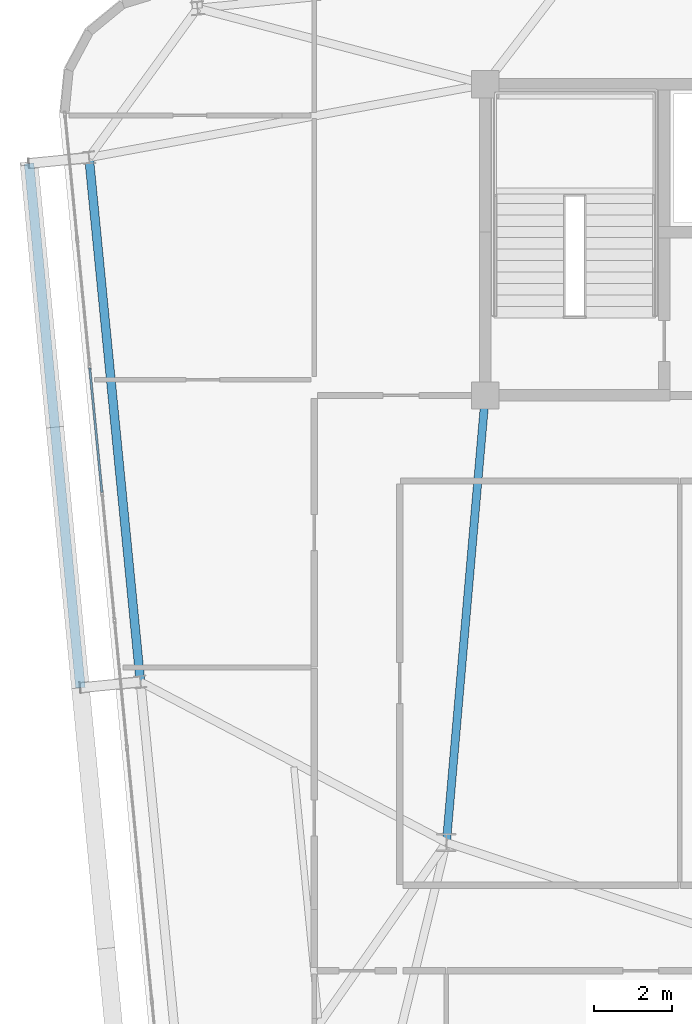
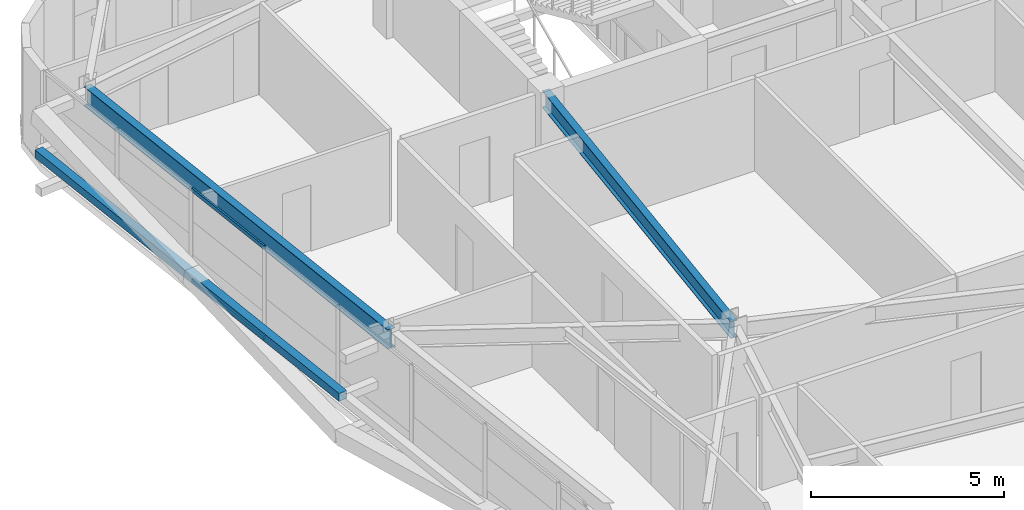
# One storey, part 14 of 52: 3 members, 2 beams, 1 element without a shape of its own.
"""IFC4 building model written with IfcOpenShell, lengths in metres."""

from ifc_helpers import new_model, si_unit, direction, frame, origin, origin_2d, place, context, subcontext, project, spatial, hollow_rectangle, i_section, extrude, source, transform, mapped, material, layer, layer_set, material_profile, profile_set, type_object, element, aggregate, save


model = new_model("IFC4")

# Units and contexts
model_context = context("Model", 3, precision=1e-05, world=origin(), true_north=direction((0.0, 1.0)))
body_context = subcontext(model_context, "Body", "Model", "MODEL_VIEW")
ifc_project = project(units=[si_unit("LENGTHUNIT", "METRE"), si_unit("AREAUNIT", "SQUARE_METRE"), si_unit("VOLUMEUNIT", "CUBIC_METRE"), si_unit("PLANEANGLEUNIT", "RADIAN"), si_unit("MASSUNIT", "GRAM", prefix="KILO")], contexts=[model_context])

# Site, building, storey
site_placement = place(None, origin())
site = spatial("IfcSite", under=ifc_project, at=site_placement, CompositionType="ELEMENT")
building_placement = place(site_placement, origin())
building = spatial("IfcBuilding", under=site, at=building_placement, Name="Taldren Reach Tower", CompositionType="ELEMENT")
storey_placement = place(building_placement, frame((0.0, 0.0, 96.60009765625)))
storey = spatial("IfcBuildingStorey", under=building, at=storey_placement, Name="L29", CompositionType="ELEMENT", Elevation=96.60009765625)

# Beams
ifc_material_1 = material(Name="Steel Gr 350 (350PLUS)", Category="steel")
ifc_material_profile_1 = material_profile(ifc_material_1, i_section(OverallWidth=0.208984375, OverallDepth=0.532958984375, WebThickness=0.01025390625, FlangeThickness=0.015625, at=origin_2d()), Name="530UB92.4")
ifc_profile_set_1 = profile_set([ifc_material_profile_1], Name="Steel Gr 350 (350PLUS)")
beam_type_1 = type_object("IfcBeamType", Name="BM-UB530A", PredefinedType="BEAM", material=ifc_profile_set_1)
shared_shape_1 = source(origin(), body_context, "Body", "SweptSolid", [
    extrude(i_section(OverallWidth=0.208984375, OverallDepth=0.532958984375, WebThickness=0.01025390625, FlangeThickness=0.015625, at=origin_2d()), origin(), (0.0, 0.0, 1.0), 11.54345703125),
])
beam_1_placement = place(storey_placement, frame((19.0, 24.0, 2.663330078125), z_axis=(-0.086629616365, -0.996240588196, 0.0), x_axis=(0.996240588196, -0.086629616365, 0.0)))
element("IfcBeam", 1, at=beam_1_placement, inside=storey, type_object=beam_type_1, Name="Core-spine girder L29-SP09", PredefinedType="BEAM", context=body_context, shape_type="MappedRepresentation", body=[
    mapped(shared_shape_1, transform((0.0, 0.0, 0.0), scale=1.0)),
])
ifc_material_profile_2 = material_profile(ifc_material_1, i_section(OverallWidth=0.22802734375, OverallDepth=0.60205078125, WebThickness=0.010498046875, FlangeThickness=0.014892578125, at=origin_2d()), Name="610UB101")
ifc_profile_set_2 = profile_set([ifc_material_profile_2], Name="Steel Gr 350 (350PLUS)")
beam_type_2 = type_object("IfcBeamType", Name="BM-UB610B", PredefinedType="BEAM", material=ifc_profile_set_2)
shared_shape_2 = source(origin(), body_context, "Body", "SweptSolid", [
    extrude(i_section(OverallWidth=0.22802734375, OverallDepth=0.60205078125, WebThickness=0.010498046875, FlangeThickness=0.014892578125, at=origin_2d()), origin(), (0.0, 0.0, 1.0), 13.550048828125),
])
beam_2_placement = place(storey_placement, frame((8.808349609375, 30.116455078125, 2.62890625), z_axis=(0.097584021339, -0.995227290009, 0.0), x_axis=(0.995227290009, 0.097584021339, 0.0)))
element("IfcBeam", 2, at=beam_2_placement, inside=storey, type_object=beam_type_2, Name="Perimeter gable girder B2 W3-W2 L29", PredefinedType="BEAM", context=body_context, shape_type="MappedRepresentation", body=[
    mapped(shared_shape_2, transform((0.0, 0.0, 0.0), scale=1.0)),
])

# Member
ifc_material_2 = material(Name="Steel Gr 350 (C350L0)", Category="steel")
ifc_material_profile_3 = material_profile(ifc_material_2, hollow_rectangle(XDim=0.25, YDim=0.25, WallThickness=0.010009765625, at=origin_2d()), Name="250x250x10.0SHS")
ifc_profile_set_3 = profile_set([ifc_material_profile_3], Name="Steel Gr 350 (C350L0)")
member_type_1 = type_object("IfcMemberType", Name="MB-POST250", PredefinedType="POST", material=ifc_profile_set_3)
shared_shape_3 = source(origin(), body_context, "Body", "SweptSolid", [
    extrude(hollow_rectangle(XDim=0.25, YDim=0.25, WallThickness=0.010009765625, at=origin_2d()), origin(), (0.0, 0.0, 1.0), 13.550048828125),
])
member_1_placement = place(storey_placement, frame((8.587890625, 16.479736328125, 1.434814453125), z_axis=(-0.097584021339, 0.995227290009, 0.0), x_axis=(-0.995227290009, -0.097584021339, 0.0)))
element("IfcMember", 3, at=member_1_placement, inside=storey, type_object=member_type_1, Name="Exoskeleton mid-height ring chord B2-W2 L29", PredefinedType="POST", context=body_context, shape_type="MappedRepresentation", body=[
    mapped(shared_shape_3, transform((0.0, 0.0, 0.0), scale=1.0)),
])

# Curtain wall, members
ifc_material_3 = material(Name="Aluminium and Low-E Glass Unitised System", Category="aluminium")
ifc_layer = layer(ifc_material_3, 0.159912109375)
ifc_layer_set = layer_set([ifc_layer], Name="Aluminium and Low-E Glass Unitised System")
curtain_wall_type = type_object("IfcCurtainWallType", Name="CW-SYS-3", PredefinedType="NOTDEFINED", material=ifc_layer_set)
curtain_wall_placement = place(storey_placement, origin())
curtain_wall = element("IfcCurtainWall", 4, at=curtain_wall_placement, inside=storey, type_object=curtain_wall_type, Name="Unitised curtain wall CW-L29-W", PredefinedType="NOTDEFINED")
ifc_material_4 = material(Name="Anodised Aluminium 6063-T6", Category="aluminium")
ifc_material_profile_4 = material_profile(ifc_material_4, hollow_rectangle(XDim=0.054931640625, YDim=0.1201171875, WallThickness=0.0029296875, at=origin_2d()), Name="ALU-120x55x3RHS")
ifc_profile_set_4 = profile_set([ifc_material_profile_4], Name="Anodised Aluminium 6063-T6")
member_type_2 = type_object("IfcMemberType", Name="CW-TRN-135", PredefinedType="USERDEFINED", material=ifc_profile_set_4)
shared_shape_4 = source(origin(), body_context, "Body", "SweptSolid", [
    extrude(hollow_rectangle(XDim=0.054931640625, YDim=0.1201171875, WallThickness=0.0029296875, at=origin_2d()), origin(), (0.0, 0.0, 1.0), 3.212890625),
])
member_2_placement = place(storey_placement, frame((8.826416015625, 24.704345703125, 0.02734375), z_axis=(0.097569948235, -0.995228669805, 0.0), x_axis=(0.995228669805, 0.097569948235, 0.0)))
member_2 = element("IfcMember", 5, at=member_2_placement, type_object=member_type_2, Name="CW-3 transom 3.1", ObjectType="TRANSOM", PredefinedType="USERDEFINED", context=body_context, shape_type="MappedRepresentation", body=[
    mapped(shared_shape_4, transform((0.0, 0.0, 0.0), scale=1.0)),
])
member_3_placement = place(storey_placement, frame((8.826416015625, 24.704345703125, 2.90234375), z_axis=(0.097569948235, -0.995228669805, 0.0), x_axis=(0.995228669805, 0.097569948235, 0.0)))
member_3 = element("IfcMember", 6, at=member_3_placement, type_object=member_type_2, Name="CW-3 transom 3.2", ObjectType="TRANSOM", PredefinedType="USERDEFINED", context=body_context, shape_type="MappedRepresentation", body=[
    mapped(shared_shape_4, transform((0.0, 0.0, 0.0), scale=1.0)),
])
aggregate(curtain_wall, [member_2, member_3])

save(model, "model.ifc")
